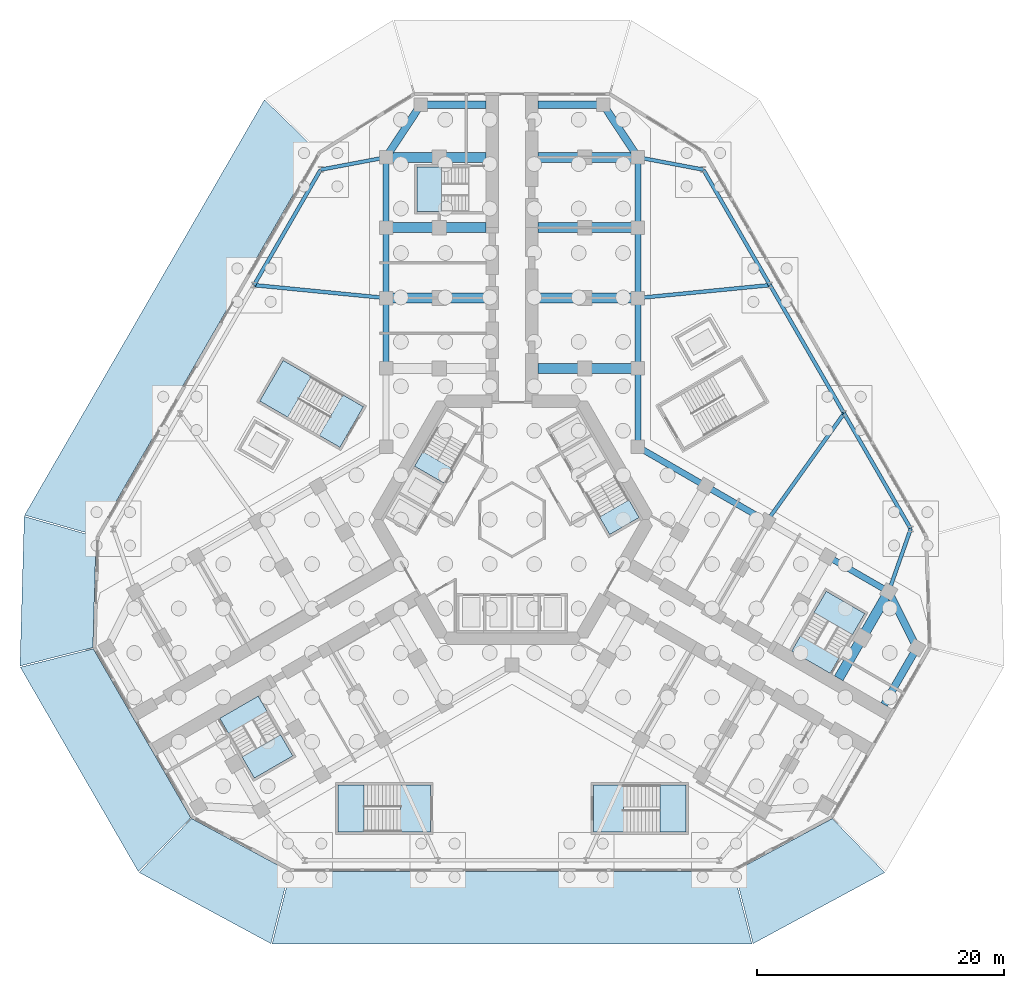
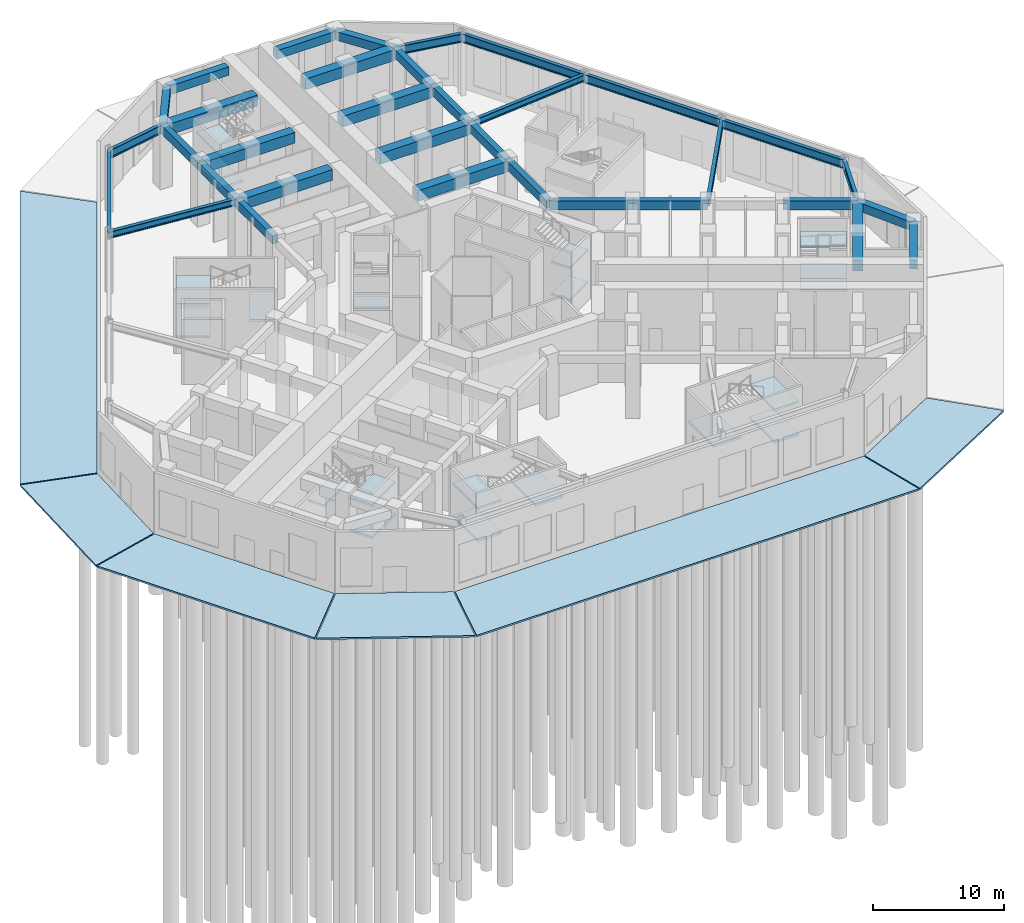
# One storey, part 3 of 16: 34 beams, 26 slabs, 8 elements without a shape of their own.
"""IFC4 building model written with IfcOpenShell, lengths in metres."""

from ifc_helpers import new_model, si_unit, direction, frame, origin, origin_2d, place, context, subcontext, project, spatial, polyline, rectangle, i_section, outline, extrude, material, layer, layer_set, material_profile, profile_set, type_object, element, aggregate, save


model = new_model("IFC4")

# Units and contexts
model_context = context("Model", 3, precision=1e-05, world=origin(), true_north=direction((0.0, 1.0)))
body_context = subcontext(model_context, "Body", "Model", "MODEL_VIEW")
ifc_project = project(units=[si_unit("LENGTHUNIT", "METRE"), si_unit("AREAUNIT", "SQUARE_METRE"), si_unit("VOLUMEUNIT", "CUBIC_METRE"), si_unit("PLANEANGLEUNIT", "RADIAN"), si_unit("MASSUNIT", "GRAM", prefix="KILO")], contexts=[model_context])

# Site, building, storey
site_placement = place(None, origin())
site = spatial("IfcSite", under=ifc_project, at=site_placement, CompositionType="ELEMENT")
building_placement = place(site_placement, origin())
building = spatial("IfcBuilding", under=site, at=building_placement, Name="Kosmar Iwan School Tower", CompositionType="ELEMENT")
storey_placement = place(building_placement, origin())
storey = spatial("IfcBuildingStorey", under=building, at=storey_placement, Name="L00", CompositionType="ELEMENT", Elevation=0.0)

# Beams
ifc_material_1 = material(Name="Steel S355", Category="steel")
ifc_material_profile_1 = material_profile(ifc_material_1, i_section(OverallWidth=0.300048828125, OverallDepth=0.800048828125, WebThickness=0.017578125, FlangeThickness=0.032958984375, FilletRadius=0.030029296875, at=origin_2d()), Name="HE 800 B")
ifc_profile_set_1 = profile_set([ifc_material_profile_1], Name="Steel S355")
beam_type_1 = type_object("IfcBeamType", Name="Infill edge beam HE 800 B", PredefinedType="BEAM", material=ifc_profile_set_1)
beam_1_placement = place(storey_placement, frame((-20.90234375, 18.99609375, 5.300048828125), z_axis=(0.500012057535, 0.866018442252, 0.0), x_axis=(-0.866018442252, 0.500012057535, 0.0)))
element("IfcBeam", 1, at=beam_1_placement, inside=storey, type_object=beam_type_1, Name="Infill edge beam AB4", PredefinedType="BEAM", context=body_context, shape_type="SweptSolid", body=[
    extrude(i_section(OverallWidth=0.300048828125, OverallDepth=0.800048828125, WebThickness=0.017578125, FlangeThickness=0.032958984375, FilletRadius=0.030029296875, at=origin_2d()), origin(), (0.0, 0.0, 1.0), 10.800048828125),
])
for number, where, z_axis, x_axis, name in (
    (2, (-15.502197265625, 28.34912109375, 5.300048828125), (0.982642984394, 0.185506779446, 0.0), (-0.185506779446, 0.982642984394, 0.0), "Infill edge beam AB5"),
    (3, (10.199951171875, 29.35009765625, 5.300048828125), (0.982642984394, -0.185506779446, 0.0), (0.185506779446, 0.982642984394, 0.0), "Infill edge beam AC1"),
):
    element("IfcBeam", number, at=place(storey_placement, frame(where, z_axis=z_axis, x_axis=x_axis)), inside=storey, type_object=beam_type_1, Name=name, PredefinedType="BEAM", context=body_context, shape_type="SweptSolid", body=[
        extrude(i_section(OverallWidth=0.300048828125, OverallDepth=0.800048828125, WebThickness=0.017578125, FlangeThickness=0.032958984375, FilletRadius=0.030029296875, at=origin_2d()), origin(), (0.0, 0.0, 1.0), 5.39599609375),
    ])
beam_2_placement = place(storey_placement, frame((15.502197265625, 28.34912109375, 5.300048828125), z_axis=(0.500012057535, -0.866018442252, 0.0), x_axis=(0.866018442252, 0.500012057535, 0.0)))
element("IfcBeam", 4, at=beam_2_placement, inside=storey, type_object=beam_type_1, Name="Infill edge beam AC2", PredefinedType="BEAM", context=body_context, shape_type="SweptSolid", body=[
    extrude(i_section(OverallWidth=0.300048828125, OverallDepth=0.800048828125, WebThickness=0.017578125, FlangeThickness=0.032958984375, FilletRadius=0.030029296875, at=origin_2d()), origin(), (0.0, 0.0, 1.0), 10.800048828125),
])
beam_3_placement = place(storey_placement, frame((20.90234375, 18.99609375, 5.300048828125), z_axis=(0.49999894854, -0.866026010844, 0.0), x_axis=(0.866026010844, 0.49999894854, 0.0)))
element("IfcBeam", 5, at=beam_3_placement, inside=storey, type_object=beam_type_1, Name="Infill edge beam AC3", PredefinedType="BEAM", context=body_context, shape_type="SweptSolid", body=[
    extrude(i_section(OverallWidth=0.300048828125, OverallDepth=0.800048828125, WebThickness=0.017578125, FlangeThickness=0.032958984375, FilletRadius=0.030029296875, at=origin_2d()), origin(), (0.0, 0.0, 1.0), 12.0),
])
beam_4_placement = place(storey_placement, frame((26.90234375, 8.603759765625, 5.300048828125), z_axis=(0.499995103361, -0.866028230842, 0.0), x_axis=(0.866028230842, 0.499995103361, 0.0)))
element("IfcBeam", 6, at=beam_4_placement, inside=storey, type_object=beam_type_1, Name="Infill edge beam AC4", PredefinedType="BEAM", context=body_context, shape_type="SweptSolid", body=[
    extrude(i_section(OverallWidth=0.300048828125, OverallDepth=0.800048828125, WebThickness=0.017578125, FlangeThickness=0.032958984375, FilletRadius=0.030029296875, at=origin_2d()), origin(), (0.0, 0.0, 1.0), 10.7998046875),
])
beam_5_placement = place(storey_placement, frame((32.30224609375, -0.749267578125, 5.300048828125), z_axis=(-0.330701081571, -0.943735553345, 0.0), x_axis=(0.943735553345, -0.330701081571, 0.0)))
element("IfcBeam", 7, at=beam_5_placement, inside=storey, type_object=beam_type_1, Name="Infill edge beam AC5", PredefinedType="BEAM", context=body_context, shape_type="SweptSolid", body=[
    extrude(i_section(OverallWidth=0.300048828125, OverallDepth=0.800048828125, WebThickness=0.017578125, FlangeThickness=0.032958984375, FilletRadius=0.030029296875, at=origin_2d()), origin(), (0.0, 0.0, 1.0), 5.39599609375),
])
ifc_material_2 = material(Name="Steel S355", Category="steel")
ifc_material_profile_2 = material_profile(ifc_material_2, i_section(OverallWidth=0.304931640625, OverallDepth=0.6201171875, WebThickness=0.02099609375, FlangeThickness=0.0400390625, FilletRadius=0.027099609375, at=origin_2d()), Name="HE 600 M")
ifc_profile_set_2 = profile_set([ifc_material_profile_2], Name="Steel S355")
beam_type_2 = type_object("IfcBeamType", Name="Infill girder HE 600 M", PredefinedType="BEAM", material=ifc_profile_set_2)
for number, where, z_axis, x_axis, name in (
    (8, (-20.90234375, 18.99609375, 5.389892578125), (0.995256582335, -0.09728481546, 0.0), (0.09728481546, 0.995256582335, 0.0), "Infill girder AB3"),
    (9, (20.90234375, 18.99609375, 5.389892578125), (-0.995256582335, -0.09728481546, 0.0), (0.09728481546, -0.995256582335, 0.0), "Infill girder AC2"),
):
    element("IfcBeam", number, at=place(storey_placement, frame(where, z_axis=z_axis, x_axis=x_axis)), inside=storey, type_object=beam_type_2, Name=name, PredefinedType="BEAM", context=body_context, shape_type="SweptSolid", body=[
        extrude(i_section(OverallWidth=0.304931640625, OverallDepth=0.6201171875, WebThickness=0.02099609375, FlangeThickness=0.0400390625, FilletRadius=0.027099609375, at=origin_2d()), origin(), (0.0, 0.0, 1.0), 10.75341796875),
    ])
beam_6_placement = place(storey_placement, frame((26.90234375, 8.603759765625, 5.389892578125), z_axis=(-0.58187801822, -0.813276073614, 0.0), x_axis=(0.813276073614, -0.58187801822, 0.0)))
element("IfcBeam", 10, at=beam_6_placement, inside=storey, type_object=beam_type_2, Name="Infill girder AC3", PredefinedType="BEAM", context=body_context, shape_type="SweptSolid", body=[
    extrude(i_section(OverallWidth=0.304931640625, OverallDepth=0.6201171875, WebThickness=0.02099609375, FlangeThickness=0.0400390625, FilletRadius=0.027099609375, at=origin_2d()), origin(), (0.0, 0.0, 1.0), 10.753173828125),
])
ifc_material_3 = material(Name="Concrete C50/60", Category="concrete")
ifc_material_profile_3 = material_profile(ifc_material_3, rectangle(XDim=0.5, YDim=0.800048828125, at=origin_2d()), Name="RC 500x800")
ifc_profile_set_3 = profile_set([ifc_material_profile_3], Name="Concrete C50/60")
beam_type_3 = type_object("IfcBeamType", Name="RC edge beam 500x800", PredefinedType="BEAM", material=ifc_profile_set_3)
for number, where, z_axis, x_axis, name in (
    (11, (-10.199951171875, 12.25, 5.300048828125), (0.0, 1.0, 0.0), (-1.0, 0.0, 0.0), "Edge beam AL2"),
    (12, (-10.199951171875, 17.949951171875, 5.300048828125), (0.0, 1.0, 0.0), (-1.0, 0.0, 0.0), "Edge beam AL3"),
):
    element("IfcBeam", number, at=place(storey_placement, frame(where, z_axis=z_axis, x_axis=x_axis)), inside=storey, type_object=beam_type_3, Name=name, PredefinedType="BEAM", context=body_context, shape_type="SweptSolid", body=[
        extrude(rectangle(XDim=0.5, YDim=0.800048828125, at=origin_2d()), origin(), (0.0, 0.0, 1.0), 5.699951171875),
    ])
beam_7_placement = place(storey_placement, frame((-10.199951171875, 23.64990234375, 5.300048828125), z_axis=(0.0, 1.0, 0.0), x_axis=(-1.0, 0.0, 0.0)))
element("IfcBeam", 13, at=beam_7_placement, inside=storey, type_object=beam_type_3, Name="Edge beam AL4", PredefinedType="BEAM", context=body_context, shape_type="SweptSolid", body=[
    extrude(rectangle(XDim=0.5, YDim=0.800048828125, at=origin_2d()), origin(), (0.0, 0.0, 1.0), 5.7001953125),
])
beam_8_placement = place(storey_placement, frame((10.199951171875, 5.888916015625, 5.300048828125), z_axis=(0.0, 1.0, 0.0), x_axis=(-1.0, 0.0, 0.0)))
element("IfcBeam", 14, at=beam_8_placement, inside=storey, type_object=beam_type_3, Name="Edge beam AR1", PredefinedType="BEAM", context=body_context, shape_type="SweptSolid", body=[
    extrude(rectangle(XDim=0.5, YDim=0.800048828125, at=origin_2d()), origin(), (0.0, 0.0, 1.0), 6.361083984375),
])
for number, where, z_axis, x_axis, name in (
    (15, (10.199951171875, 12.25, 5.300048828125), (0.0, 1.0, 0.0), (-1.0, 0.0, 0.0), "Edge beam AR2"),
    (16, (10.199951171875, 17.949951171875, 5.300048828125), (0.0, 1.0, 0.0), (-1.0, 0.0, 0.0), "Edge beam AR3"),
):
    element("IfcBeam", number, at=place(storey_placement, frame(where, z_axis=z_axis, x_axis=x_axis)), inside=storey, type_object=beam_type_3, Name=name, PredefinedType="BEAM", context=body_context, shape_type="SweptSolid", body=[
        extrude(rectangle(XDim=0.5, YDim=0.800048828125, at=origin_2d()), origin(), (0.0, 0.0, 1.0), 5.699951171875),
    ])
beam_9_placement = place(storey_placement, frame((10.199951171875, 23.64990234375, 5.300048828125), z_axis=(0.0, 1.0, 0.0), x_axis=(-1.0, 0.0, 0.0)))
element("IfcBeam", 17, at=beam_9_placement, inside=storey, type_object=beam_type_3, Name="Edge beam AR4", PredefinedType="BEAM", context=body_context, shape_type="SweptSolid", body=[
    extrude(rectangle(XDim=0.5, YDim=0.800048828125, at=origin_2d()), origin(), (0.0, 0.0, 1.0), 5.7001953125),
])
beam_10_placement = place(storey_placement, frame((10.199951171875, 5.888916015625, 5.300048828125), z_axis=(0.866030912664, -0.49999045822, 0.0), x_axis=(0.49999045822, 0.866030912664, 0.0)))
element("IfcBeam", 18, at=beam_10_placement, inside=storey, type_object=beam_type_3, Name="Edge beam CL1", PredefinedType="BEAM", context=body_context, shape_type="SweptSolid", body=[
    extrude(rectangle(XDim=0.5, YDim=0.800048828125, at=origin_2d()), origin(), (0.0, 0.0, 1.0), 6.36083984375),
])
beam_11_placement = place(storey_placement, frame((15.708740234375, 2.70849609375, 5.300048828125), z_axis=(0.866025820012, -0.499999279071, 0.0), x_axis=(0.499999279071, 0.866025820012, 0.0)))
element("IfcBeam", 19, at=beam_11_placement, inside=storey, type_object=beam_type_3, Name="Edge beam CL2", PredefinedType="BEAM", context=body_context, shape_type="SweptSolid", body=[
    extrude(rectangle(XDim=0.5, YDim=0.800048828125, at=origin_2d()), origin(), (0.0, 0.0, 1.0), 5.7001953125),
])
beam_12_placement = place(storey_placement, frame((25.58154296875, -2.991455078125, 5.300048828125), z_axis=(0.866015111908, -0.50001782563, 0.0), x_axis=(0.50001782563, 0.866015111908, 0.0)))
element("IfcBeam", 20, at=beam_12_placement, inside=storey, type_object=beam_type_3, Name="Edge beam CL4", PredefinedType="BEAM", context=body_context, shape_type="SweptSolid", body=[
    extrude(rectangle(XDim=0.5, YDim=0.800048828125, at=origin_2d()), origin(), (0.0, 0.0, 1.0), 5.699951171875),
])
ifc_material_4 = material(Name="Concrete C50/60", Category="concrete")
ifc_material_profile_4 = material_profile(ifc_material_4, rectangle(XDim=0.60009765625, YDim=0.800048828125, at=origin_2d()), Name="RC 600x800")
ifc_profile_set_4 = profile_set([ifc_material_profile_4], Name="Concrete C50/60")
beam_type_4 = type_object("IfcBeamType", Name="RC tip beam 600x800", PredefinedType="BEAM", material=ifc_profile_set_4)
beam_13_placement = place(storey_placement, frame((-10.199951171875, 29.35009765625, 5.300048828125), z_axis=(0.550164383043, 0.835056376319, 0.0), x_axis=(-0.835056376319, 0.550164383043, 0.0)))
element("IfcBeam", 21, at=beam_13_placement, inside=storey, type_object=beam_type_4, Name="Tip beam AL", PredefinedType="BEAM", context=body_context, shape_type="SweptSolid", body=[
    extrude(rectangle(XDim=0.60009765625, YDim=0.800048828125, at=origin_2d()), origin(), (0.0, 0.0, 1.0), 5.08935546875),
])
beam_14_placement = place(storey_placement, frame((-7.39990234375, 33.60009765625, 5.300048828125), z_axis=(1.0, 0.0, 0.0), x_axis=(0.0, 1.0, 0.0)))
element("IfcBeam", 22, at=beam_14_placement, inside=storey, type_object=beam_type_4, Name="Tip beam AL to corridor wall", PredefinedType="BEAM", context=body_context, shape_type="SweptSolid", body=[
    extrude(rectangle(XDim=0.60009765625, YDim=0.800048828125, at=origin_2d()), origin(), (0.0, 0.0, 1.0), 5.2998046875),
])
beam_15_placement = place(storey_placement, frame((10.199951171875, 29.35009765625, 5.300048828125), z_axis=(-0.550164383043, 0.835056376319, 0.0), x_axis=(-0.835056376319, -0.550164383043, 0.0)))
element("IfcBeam", 23, at=beam_15_placement, inside=storey, type_object=beam_type_4, Name="Tip beam AR", PredefinedType="BEAM", context=body_context, shape_type="SweptSolid", body=[
    extrude(rectangle(XDim=0.60009765625, YDim=0.800048828125, at=origin_2d()), origin(), (0.0, 0.0, 1.0), 5.08935546875),
])
beam_16_placement = place(storey_placement, frame((7.39990234375, 33.60009765625, 5.300048828125), z_axis=(-1.0, 0.0, 0.0), x_axis=(0.0, -1.0, 0.0)))
element("IfcBeam", 24, at=beam_16_placement, inside=storey, type_object=beam_type_4, Name="Tip beam AR to corridor wall", PredefinedType="BEAM", context=body_context, shape_type="SweptSolid", body=[
    extrude(rectangle(XDim=0.60009765625, YDim=0.800048828125, at=origin_2d()), origin(), (0.0, 0.0, 1.0), 5.2998046875),
])
beam_17_placement = place(storey_placement, frame((30.517822265625, -5.841552734375, 5.300048828125), z_axis=(0.44809604203, -0.893985423325, 0.0), x_axis=(0.893985423325, 0.44809604203, 0.0)))
element("IfcBeam", 25, at=beam_17_placement, inside=storey, type_object=beam_type_4, Name="Tip beam CL", PredefinedType="BEAM", context=body_context, shape_type="SweptSolid", body=[
    extrude(rectangle(XDim=0.60009765625, YDim=0.800048828125, at=origin_2d()), origin(), (0.0, 0.0, 1.0), 5.08935546875),
])
beam_18_placement = place(storey_placement, frame((32.79833984375, -10.391357421875, 5.300048828125), z_axis=(-0.499973660256, -0.866040610509, 0.0), x_axis=(0.866040610509, -0.499973660256, 0.0)))
element("IfcBeam", 26, at=beam_18_placement, inside=storey, type_object=beam_type_4, Name="Tip beam CL to corridor wall", PredefinedType="BEAM", context=body_context, shape_type="SweptSolid", body=[
    extrude(rectangle(XDim=0.60009765625, YDim=0.800048828125, at=origin_2d()), origin(), (0.0, 0.0, 1.0), 5.300048828125),
])
ifc_material_5 = material(Name="Concrete C50/60", Category="concrete")
ifc_material_profile_5 = material_profile(ifc_material_5, rectangle(XDim=0.800048828125, YDim=1.0, at=origin_2d()), Name="RC 800x1000")
ifc_profile_set_5 = profile_set([ifc_material_profile_5], Name="Concrete C50/60")
beam_type_5 = type_object("IfcBeamType", Name="RC transverse beam 800x1000", PredefinedType="BEAM", material=ifc_profile_set_5)
for number, where, z_axis, x_axis, name in (
    (27, (-10.199951171875, 17.949951171875, 5.199951171875), (1.0, 0.0, 0.0), (0.0, 1.0, 0.0), "Transverse beam AL2"),
    (28, (-10.199951171875, 23.64990234375, 5.199951171875), (1.0, 0.0, 0.0), (0.0, 1.0, 0.0), "Transverse beam AL3"),
    (29, (-10.199951171875, 29.35009765625, 5.199951171875), (1.0, 0.0, 0.0), (0.0, 1.0, 0.0), "Transverse beam AL4"),
    (30, (10.199951171875, 12.25, 5.199951171875), (-1.0, 0.0, 0.0), (0.0, -1.0, 0.0), "Transverse beam AR1"),
    (31, (10.199951171875, 17.949951171875, 5.199951171875), (-1.0, 0.0, 0.0), (0.0, -1.0, 0.0), "Transverse beam AR2"),
    (32, (10.199951171875, 23.64990234375, 5.199951171875), (-1.0, 0.0, 0.0), (0.0, -1.0, 0.0), "Transverse beam AR3"),
    (33, (10.199951171875, 29.35009765625, 5.199951171875), (-1.0, 0.0, 0.0), (0.0, -1.0, 0.0), "Transverse beam AR4"),
):
    element("IfcBeam", number, at=place(storey_placement, frame(where, z_axis=z_axis, x_axis=x_axis)), inside=storey, type_object=beam_type_5, Name=name, PredefinedType="BEAM", context=body_context, shape_type="SweptSolid", body=[
        extrude(rectangle(XDim=0.800048828125, YDim=1.0, at=origin_2d()), origin(), (0.0, 0.0, 1.0), 8.099853515625),
    ])
beam_19_placement = place(storey_placement, frame((30.517822265625, -5.841552734375, 5.199951171875), z_axis=(-0.499999880539, -0.866025472755, 0.0), x_axis=(0.866025472755, -0.499999880539, 0.0)))
element("IfcBeam", 34, at=beam_19_placement, inside=storey, type_object=beam_type_5, Name="Transverse beam CL4", PredefinedType="BEAM", context=body_context, shape_type="SweptSolid", body=[
    extrude(rectangle(XDim=0.800048828125, YDim=1.0, at=origin_2d()), origin(), (0.0, 0.0, 1.0), 8.10009765625),
])

# Stair, slabs
ifc_material_6 = material(Name="Concrete C35/45", Category="concrete")
stair_type_1 = type_object("IfcStairType", Name="Escape stair 3600", PredefinedType="HALF_TURN_STAIR", material=ifc_material_6)
stair_1_placement = place(storey_placement, origin())
stair_1 = element("IfcStair", 35, at=stair_1_placement, inside=storey, type_object=stair_type_1, Name="Stair WS1 L00", PredefinedType="HALF_TURN_STAIR")
ifc_material_7 = material(Name="Concrete C35/45", Category="concrete")
ifc_layer_1 = layer(ifc_material_7, 0.199951171875)
ifc_layer_set_1 = layer_set([ifc_layer_1], Name="Escape stair landing 200")
slab_type_1 = type_object("IfcSlabType", Name="Escape stair landing 200", PredefinedType="LANDING", material=ifc_layer_set_1)
slab_1_placement = place(storey_placement, frame((0.0, 0.0, 1.300048828125)))
slab_1 = element("IfcSlab", 36, at=slab_1_placement, type_object=slab_type_1, Name="WS1 landing 1", PredefinedType="LANDING", context=body_context, shape_type="SweptSolid", body=[
    extrude(outline(polyline([(-5.719970703125, 24.949951171875), (-5.719970703125, 28.550048828125), (-7.699951171875, 28.550048828125), (-7.699951171875, 24.949951171875), (-5.719970703125, 24.949951171875)])), origin(), (0.0, 0.0, 1.0), 0.199951171875),
])
slab_2_placement = place(storey_placement, frame((0.0, 0.0, 4.300048828125)))
slab_2 = element("IfcSlab", 37, at=slab_2_placement, type_object=slab_type_1, Name="WS1 landing 3", PredefinedType="LANDING", context=body_context, shape_type="SweptSolid", body=[
    extrude(outline(polyline([(-5.719970703125, 24.949951171875), (-5.719970703125, 28.550048828125), (-7.699951171875, 28.550048828125), (-7.699951171875, 24.949951171875), (-5.719970703125, 24.949951171875)])), origin(), (0.0, 0.0, 1.0), 0.199951171875),
])
aggregate(stair_1, [slab_1, slab_2])

stair_2_placement = place(storey_placement, origin())
stair_2 = element("IfcStair", 38, at=stair_2_placement, inside=storey, type_object=stair_type_1, Name="Stair WS2 L00", PredefinedType="HALF_TURN_STAIR")
slab_3_placement = place(storey_placement, frame((0.0, 0.0, 1.300048828125)))
slab_3 = element("IfcSlab", 39, at=slab_3_placement, type_object=slab_type_1, Name="WS2 landing 1", PredefinedType="LANDING", context=body_context, shape_type="SweptSolid", body=[
    extrude(outline(polyline([(-18.747314453125, -17.4287109375), (-21.864990234375, -19.228759765625), (-20.875, -20.943359375), (-17.75732421875, -19.143310546875), (-18.747314453125, -17.4287109375)])), origin(), (0.0, 0.0, 1.0), 0.199951171875),
])
slab_4_placement = place(storey_placement, frame((0.0, 0.0, 2.800048828125)))
slab_4 = element("IfcSlab", 40, at=slab_4_placement, type_object=slab_type_1, Name="WS2 landing 2", PredefinedType="LANDING", context=body_context, shape_type="SweptSolid", body=[
    extrude(outline(polyline([(-20.557373046875, -14.293701171875), (-23.675048828125, -16.09375), (-22.965087890625, -17.323486328125), (-19.847412109375, -15.5234375), (-20.557373046875, -14.293701171875)])), origin(), (0.0, 0.0, 1.0), 0.199951171875),
])
slab_5_placement = place(storey_placement, frame((0.0, 0.0, 4.300048828125)))
slab_5 = element("IfcSlab", 41, at=slab_5_placement, type_object=slab_type_1, Name="WS2 landing 3", PredefinedType="LANDING", context=body_context, shape_type="SweptSolid", body=[
    extrude(outline(polyline([(-18.747314453125, -17.4287109375), (-21.864990234375, -19.228759765625), (-20.875, -20.943359375), (-17.75732421875, -19.143310546875), (-18.747314453125, -17.4287109375)])), origin(), (0.0, 0.0, 1.0), 0.199951171875),
])
aggregate(stair_2, [slab_3, slab_4, slab_5])

stair_3_placement = place(storey_placement, origin())
stair_3 = element("IfcStair", 42, at=stair_3_placement, inside=storey, type_object=stair_type_1, Name="Stair WS3 L00", PredefinedType="HALF_TURN_STAIR")
slab_6_placement = place(storey_placement, frame((0.0, 0.0, 1.300048828125)))
slab_6 = element("IfcSlab", 43, at=slab_6_placement, type_object=slab_type_1, Name="WS3 landing 1", PredefinedType="LANDING", context=body_context, shape_type="SweptSolid", body=[
    extrude(outline(polyline([(24.46728515625, -7.521240234375), (27.5849609375, -9.3212890625), (28.574951171875, -7.606689453125), (25.457275390625, -5.806640625), (24.46728515625, -7.521240234375)])), origin(), (0.0, 0.0, 1.0), 0.199951171875),
])
slab_7_placement = place(storey_placement, frame((0.0, 0.0, 2.800048828125)))
slab_7 = element("IfcSlab", 44, at=slab_7_placement, type_object=slab_type_1, Name="WS3 landing 2", PredefinedType="LANDING", context=body_context, shape_type="SweptSolid", body=[
    extrude(outline(polyline([(22.6572265625, -10.65625), (25.775146484375, -12.456298828125), (26.485107421875, -11.2265625), (23.367431640625, -9.426513671875), (22.6572265625, -10.65625)])), origin(), (0.0, 0.0, 1.0), 0.199951171875),
])
slab_8_placement = place(storey_placement, frame((0.0, 0.0, 4.300048828125)))
slab_8 = element("IfcSlab", 45, at=slab_8_placement, type_object=slab_type_1, Name="WS3 landing 3", PredefinedType="LANDING", context=body_context, shape_type="SweptSolid", body=[
    extrude(outline(polyline([(24.46728515625, -7.521240234375), (27.5849609375, -9.3212890625), (28.574951171875, -7.606689453125), (25.457275390625, -5.806640625), (24.46728515625, -7.521240234375)])), origin(), (0.0, 0.0, 1.0), 0.199951171875),
])
aggregate(stair_3, [slab_6, slab_7, slab_8])

# Slabs
ifc_material_8 = material(Name="Granite setts on concrete base", Category="masonry")
ifc_layer_2 = layer(ifc_material_8, 0.14990234375)
ifc_layer_set_2 = layer_set([ifc_layer_2], Name="Forecourt paving 150")
slab_type_2 = type_object("IfcSlabType", Name="Forecourt paving 150", PredefinedType="USERDEFINED", material=ifc_layer_set_2)
slab_9_placement = place(storey_placement, frame((0.0, 0.0, -0.14990234375)))
element("IfcSlab", 46, at=slab_9_placement, inside=storey, type_object=slab_type_2, Name="Entrance forecourt paving 1", ObjectType="PAVING", PredefinedType="USERDEFINED", context=body_context, shape_type="SweptSolid", body=[
    extrude(outline(polyline([(-17.950927734375, -28.510009765625), (17.950927734375, -28.510009765625), (19.43359375, -34.375), (-19.43359375, -34.375), (-17.950927734375, -28.510009765625)])), origin(), (0.0, 0.0, 1.0), 0.14990234375),
])
slab_10_placement = place(storey_placement, frame((0.0, 0.0, -0.14990234375)))
element("IfcSlab", 47, at=slab_10_placement, inside=storey, type_object=slab_type_2, Name="Entrance forecourt paving 2", ObjectType="PAVING", PredefinedType="USERDEFINED", context=body_context, shape_type="SweptSolid", body=[
    extrude(outline(polyline([(18.0478515625, -28.485595703125), (25.950927734375, -24.217041015625), (30.19970703125, -28.588134765625), (19.530517578125, -34.3505859375), (18.0478515625, -28.485595703125)])), origin(), (0.0, 0.0, 1.0), 0.14990234375),
])
slab_11_placement = place(storey_placement, frame((0.0, 0.0, -0.14990234375)))
element("IfcSlab", 48, at=slab_11_placement, inside=storey, type_object=slab_type_2, Name="Entrance forecourt paving 9", ObjectType="PAVING", PredefinedType="USERDEFINED", context=body_context, shape_type="SweptSolid", body=[
    extrude(outline(polyline([(-15.71484375, 29.801025390625), (-33.665771484375, -1.291015625), (-39.486328125, 0.357421875), (-20.052734375, 34.017578125), (-15.71484375, 29.801025390625)])), origin(), (0.0, 0.0, 1.0), 0.14990234375),
])
slab_12_placement = place(storey_placement, frame((0.0, 0.0, -0.14990234375)))
element("IfcSlab", 49, at=slab_12_placement, inside=storey, type_object=slab_type_2, Name="Entrance forecourt paving 10", ObjectType="PAVING", PredefinedType="USERDEFINED", context=body_context, shape_type="SweptSolid", body=[
    extrude(outline(polyline([(-33.693115234375, -1.38720703125), (-33.947998046875, -10.36572265625), (-39.85791015625, -11.859619140625), (-39.513671875, 0.26123046875), (-33.693115234375, -1.38720703125)])), origin(), (0.0, 0.0, 1.0), 0.14990234375),
])
slab_13_placement = place(storey_placement, frame((0.0, 0.0, -0.14990234375)))
element("IfcSlab", 50, at=slab_13_placement, inside=storey, type_object=slab_type_2, Name="Entrance forecourt paving 11", ObjectType="PAVING", PredefinedType="USERDEFINED", context=body_context, shape_type="SweptSolid", body=[
    extrude(outline(polyline([(-33.923583984375, -10.462646484375), (-26.022705078125, -24.1474609375), (-30.271484375, -28.518310546875), (-39.833251953125, -11.95654296875), (-33.923583984375, -10.462646484375)])), origin(), (0.0, 0.0, 1.0), 0.14990234375),
])
slab_14_placement = place(storey_placement, frame((0.0, 0.0, -0.14990234375)))
element("IfcSlab", 51, at=slab_14_placement, inside=storey, type_object=slab_type_2, Name="Entrance forecourt paving 12", ObjectType="PAVING", PredefinedType="USERDEFINED", context=body_context, shape_type="SweptSolid", body=[
    extrude(outline(polyline([(-25.950927734375, -24.217041015625), (-18.0478515625, -28.485595703125), (-19.530517578125, -34.3505859375), (-30.19970703125, -28.588134765625), (-25.950927734375, -24.217041015625)])), origin(), (0.0, 0.0, 1.0), 0.14990234375),
])

# Stair, slab
ifc_material_9 = material(Name="Concrete C35/45", Category="concrete")
stair_type_2 = type_object("IfcStairType", Name="Core stair 2750", PredefinedType="HALF_TURN_STAIR", material=ifc_material_9)
stair_4_placement = place(storey_placement, origin())
stair_4 = element("IfcStair", 52, at=stair_4_placement, inside=storey, type_object=stair_type_2, Name="Stair ST2 L00", PredefinedType="HALF_TURN_STAIR")
ifc_material_10 = material(Name="Concrete C35/45", Category="concrete")
ifc_layer_3 = layer(ifc_material_10, 0.199951171875)
ifc_layer_set_3 = layer_set([ifc_layer_3], Name="Stair landing 200")
slab_type_3 = type_object("IfcSlabType", Name="Stair landing 200", PredefinedType="LANDING", material=ifc_layer_set_3)
slab_15_placement = place(storey_placement, frame((0.0, 0.0, 2.800048828125)))
slab_15 = element("IfcSlab", 53, at=slab_15_placement, type_object=slab_type_3, Name="ST2 landing 2", PredefinedType="LANDING", context=body_context, shape_type="SweptSolid", body=[
    extrude(outline(polyline([(-4.832763671875, 4.129638671875), (-7.214111328125, 5.504638671875), (-7.894287109375, 4.326904296875), (-5.5126953125, 2.951904296875), (-4.832763671875, 4.129638671875)])), origin(), (0.0, 0.0, 1.0), 0.199951171875),
])
aggregate(stair_4, [slab_15])

# Stair, slabs
stair_5_placement = place(storey_placement, origin())
stair_5 = element("IfcStair", 54, at=stair_5_placement, inside=storey, type_object=stair_type_2, Name="Stair ST1 L00", PredefinedType="HALF_TURN_STAIR")
slab_16_placement = place(storey_placement, frame((0.0, 0.0, 1.300048828125)))
slab_16 = element("IfcSlab", 55, at=slab_16_placement, type_object=slab_type_3, Name="ST1 landing 1", PredefinedType="LANDING", context=body_context, shape_type="SweptSolid", body=[
    extrude(outline(polyline([(7.91259765625, -1.205078125), (10.294189453125, 0.169921875), (9.47412109375, 1.590087890625), (7.0927734375, 0.215087890625), (7.91259765625, -1.205078125)])), origin(), (0.0, 0.0, 1.0), 0.199951171875),
])
slab_17_placement = place(storey_placement, frame((0.0, 0.0, 4.300048828125)))
slab_17 = element("IfcSlab", 56, at=slab_17_placement, type_object=slab_type_3, Name="ST1 landing 3", PredefinedType="LANDING", context=body_context, shape_type="SweptSolid", body=[
    extrude(outline(polyline([(7.91259765625, -1.205078125), (10.294189453125, 0.169921875), (9.47412109375, 1.590087890625), (7.0927734375, 0.215087890625), (7.91259765625, -1.205078125)])), origin(), (0.0, 0.0, 1.0), 0.199951171875),
])
aggregate(stair_5, [slab_16, slab_17])

ifc_material_11 = material(Name="Concrete C35/45", Category="concrete")
stair_type_3 = type_object("IfcStairType", Name="School stair 3800", PredefinedType="HALF_TURN_STAIR", material=ifc_material_11)
stair_6_placement = place(storey_placement, origin())
stair_6 = element("IfcStair", 57, at=stair_6_placement, inside=storey, type_object=stair_type_3, Name="School stair SS1 L00", PredefinedType="HALF_TURN_STAIR")
slab_18_placement = place(storey_placement, frame((0.0, 0.0, 1.300048828125)))
slab_18 = element("IfcSlab", 58, at=slab_18_placement, type_object=slab_type_3, Name="SS1 landing 1", PredefinedType="LANDING", context=body_context, shape_type="SweptSolid", body=[
    extrude(outline(polyline([(-14.10009765625, -21.5), (-14.10009765625, -25.300048828125), (-11.97998046875, -25.300048828125), (-11.97998046875, -21.5), (-14.10009765625, -21.5)])), origin(), (0.0, 0.0, 1.0), 0.199951171875),
])
slab_19_placement = place(storey_placement, frame((0.0, 0.0, 2.800048828125)))
slab_19 = element("IfcSlab", 59, at=slab_19_placement, type_object=slab_type_3, Name="SS1 landing 2", PredefinedType="LANDING", context=body_context, shape_type="SweptSolid", body=[
    extrude(outline(polyline([(-9.02001953125, -21.5), (-9.02001953125, -25.300048828125), (-6.60009765625, -25.300048828125), (-6.60009765625, -21.5), (-9.02001953125, -21.5)])), origin(), (0.0, 0.0, 1.0), 0.199951171875),
])
slab_20_placement = place(storey_placement, frame((0.0, 0.0, 4.300048828125)))
slab_20 = element("IfcSlab", 60, at=slab_20_placement, type_object=slab_type_3, Name="SS1 landing 3", PredefinedType="LANDING", context=body_context, shape_type="SweptSolid", body=[
    extrude(outline(polyline([(-14.10009765625, -21.5), (-14.10009765625, -25.300048828125), (-11.97998046875, -25.300048828125), (-11.97998046875, -21.5), (-14.10009765625, -21.5)])), origin(), (0.0, 0.0, 1.0), 0.199951171875),
])
aggregate(stair_6, [slab_18, slab_19, slab_20])

stair_7_placement = place(storey_placement, origin())
stair_7 = element("IfcStair", 61, at=stair_7_placement, inside=storey, type_object=stair_type_3, Name="School stair SS2 L00", PredefinedType="HALF_TURN_STAIR")
slab_21_placement = place(storey_placement, frame((0.0, 0.0, 1.300048828125)))
slab_21 = element("IfcSlab", 62, at=slab_21_placement, type_object=slab_type_3, Name="SS2 landing 1", PredefinedType="LANDING", context=body_context, shape_type="SweptSolid", body=[
    extrude(outline(polyline([(11.97998046875, -21.5), (11.97998046875, -25.300048828125), (14.10009765625, -25.300048828125), (14.10009765625, -21.5), (11.97998046875, -21.5)])), origin(), (0.0, 0.0, 1.0), 0.199951171875),
])
slab_22_placement = place(storey_placement, frame((0.0, 0.0, 2.800048828125)))
slab_22 = element("IfcSlab", 63, at=slab_22_placement, type_object=slab_type_3, Name="SS2 landing 2", PredefinedType="LANDING", context=body_context, shape_type="SweptSolid", body=[
    extrude(outline(polyline([(6.60009765625, -21.5), (6.60009765625, -25.300048828125), (9.02001953125, -25.300048828125), (9.02001953125, -21.5), (6.60009765625, -21.5)])), origin(), (0.0, 0.0, 1.0), 0.199951171875),
])
slab_23_placement = place(storey_placement, frame((0.0, 0.0, 4.300048828125)))
slab_23 = element("IfcSlab", 64, at=slab_23_placement, type_object=slab_type_3, Name="SS2 landing 3", PredefinedType="LANDING", context=body_context, shape_type="SweptSolid", body=[
    extrude(outline(polyline([(11.97998046875, -21.5), (11.97998046875, -25.300048828125), (14.10009765625, -25.300048828125), (14.10009765625, -21.5), (11.97998046875, -21.5)])), origin(), (0.0, 0.0, 1.0), 0.199951171875),
])
aggregate(stair_7, [slab_21, slab_22, slab_23])

stair_8_placement = place(storey_placement, origin())
stair_8 = element("IfcStair", 65, at=stair_8_placement, inside=storey, type_object=stair_type_3, Name="School stair SS4 L00", PredefinedType="HALF_TURN_STAIR")
slab_24_placement = place(storey_placement, frame((0.0, 0.0, 1.300048828125)))
slab_24 = element("IfcSlab", 66, at=slab_24_placement, type_object=slab_type_3, Name="SS4 landing 1", PredefinedType="LANDING", context=body_context, shape_type="SweptSolid", body=[
    extrude(outline(polyline([(-16.2666015625, 11.58544921875), (-18.53564453125, 12.8955078125), (-20.435546875, 9.6044921875), (-18.16650390625, 8.29443359375), (-16.2666015625, 11.58544921875)])), origin(), (0.0, 0.0, 1.0), 0.199951171875),
])
slab_25_placement = place(storey_placement, frame((0.0, 0.0, 2.800048828125)))
slab_25 = element("IfcSlab", 67, at=slab_25_placement, type_object=slab_type_3, Name="SS4 landing 2", PredefinedType="LANDING", context=body_context, shape_type="SweptSolid", body=[
    extrude(outline(polyline([(-12.040283203125, 9.1455078125), (-13.703125, 10.10546875), (-15.603271484375, 6.814453125), (-13.9404296875, 5.8544921875), (-12.040283203125, 9.1455078125)])), origin(), (0.0, 0.0, 1.0), 0.199951171875),
])
slab_26_placement = place(storey_placement, frame((0.0, 0.0, 4.300048828125)))
slab_26 = element("IfcSlab", 68, at=slab_26_placement, type_object=slab_type_3, Name="SS4 landing 3", PredefinedType="LANDING", context=body_context, shape_type="SweptSolid", body=[
    extrude(outline(polyline([(-16.2666015625, 11.58544921875), (-18.53564453125, 12.8955078125), (-20.435546875, 9.6044921875), (-18.16650390625, 8.29443359375), (-16.2666015625, 11.58544921875)])), origin(), (0.0, 0.0, 1.0), 0.199951171875),
])
aggregate(stair_8, [slab_24, slab_25, slab_26])

save(model, "model.ifc")
